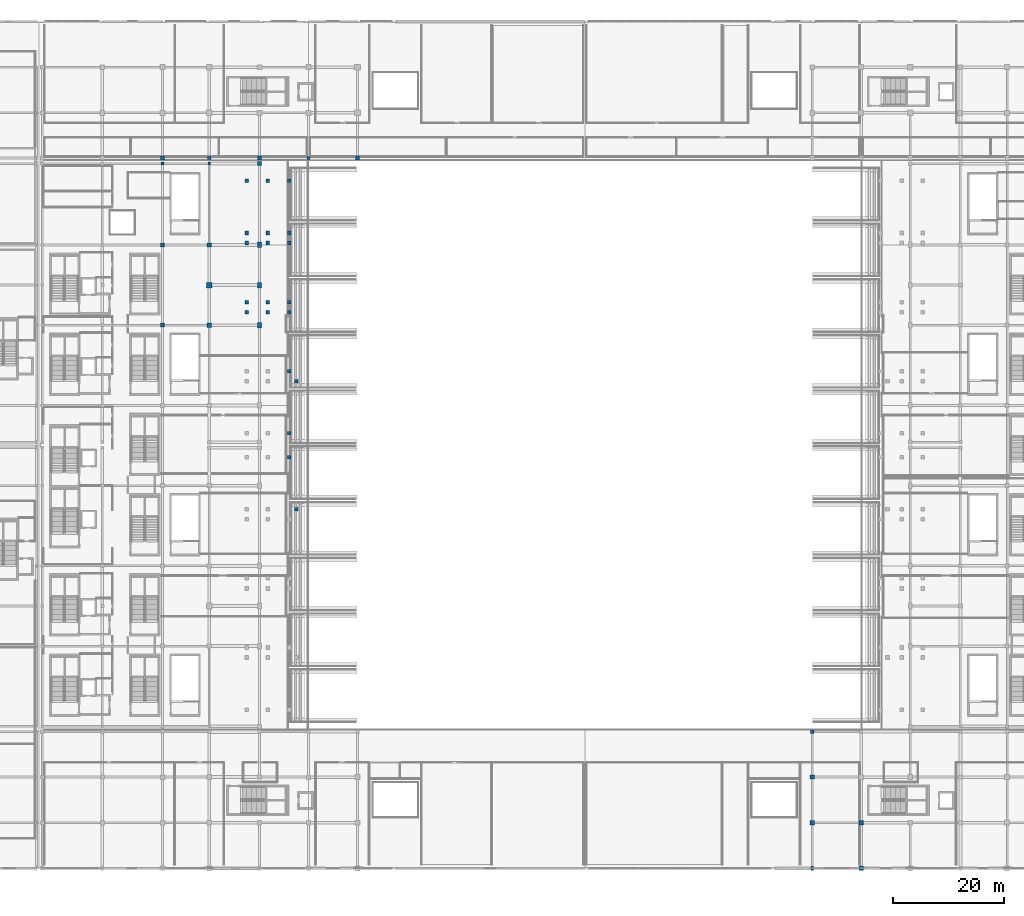
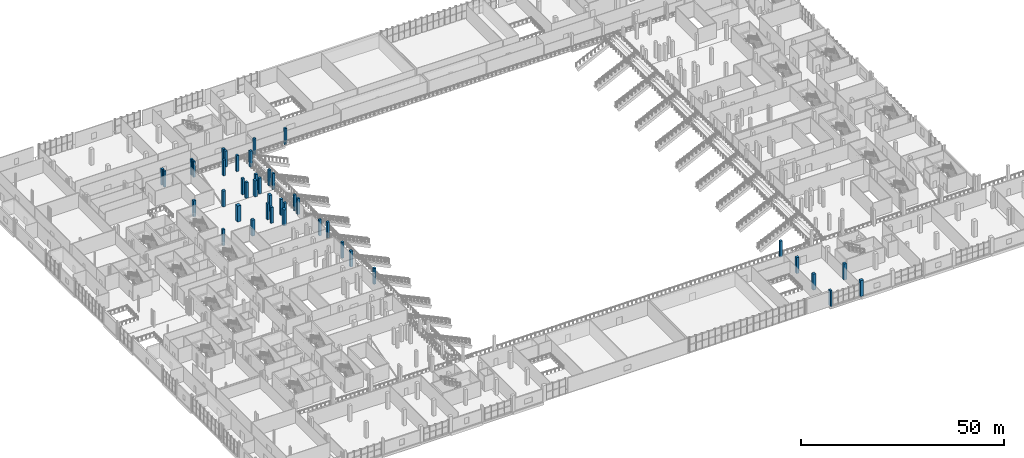
# One storey, part 8 of 129: 42 columns.
"""IFC4 building model written with IfcOpenShell, lengths in metres."""

from ifc_helpers import new_model, si_unit, direction, frame, origin, origin_2d, place, context, subcontext, project, spatial, rectangle, extrude, material, material_profile, profile_set, type_object, element, save


model = new_model("IFC4")

# Units and contexts
model_context = context("Model", 3, precision=1e-05, world=origin(), true_north=direction((0.0, 1.0)))
body_context = subcontext(model_context, "Body", "Model", "MODEL_VIEW")
ifc_project = project(units=[si_unit("LENGTHUNIT", "METRE"), si_unit("AREAUNIT", "SQUARE_METRE"), si_unit("VOLUMEUNIT", "CUBIC_METRE"), si_unit("PLANEANGLEUNIT", "RADIAN"), si_unit("MASSUNIT", "GRAM", prefix="KILO")], contexts=[model_context])

# Site, building, storey
site_placement = place(None, origin())
site = spatial("IfcSite", under=ifc_project, at=site_placement, CompositionType="ELEMENT")
building_placement = place(site_placement, origin())
building = spatial("IfcBuilding", under=site, at=building_placement, Name="Koshinbarg Plaza Stadium", CompositionType="ELEMENT")
storey_placement = place(building_placement, frame((0.0, 0.0, 5.39990234375)))
storey = spatial("IfcBuildingStorey", under=building, at=storey_placement, Name="L01", CompositionType="ELEMENT", Elevation=5.39990234375)

# Columns
ifc_material = material(Name="Concrete C40/50", Category="concrete")
ifc_material_profile_1 = material_profile(ifc_material, rectangle(XDim=0.449951171875, YDim=0.800048828125, at=origin_2d()), Name="PIL 450x800")
ifc_profile_set_1 = profile_set([ifc_material_profile_1], Name="Concrete C40/50")
column_type_1 = type_object("IfcColumnType", Name="COL-PIL-02", PredefinedType="PILASTER", material=ifc_profile_set_1)
column_1_placement = place(storey_placement, frame((162.800048828125, 0.0, 0.0), z_axis=(0.0, 0.0, 1.0), x_axis=(1.0, 0.0, 0.0)))
element("IfcColumn", 1, at=column_1_placement, inside=storey, type_object=column_type_1, Name="L01 column 15/A", PredefinedType="PILASTER", context=body_context, shape_type="SweptSolid", body=[
    extrude(rectangle(XDim=0.449951171875, YDim=0.800048828125, at=origin_2d()), origin(), (0.0, 0.0, 1.0), 4.800048828125),
])
ifc_material_profile_2 = material_profile(ifc_material, rectangle(XDim=0.5, YDim=0.5, at=origin_2d()), Name="RC 500x500")
ifc_profile_set_2 = profile_set([ifc_material_profile_2], Name="Concrete C40/50")
column_type_2 = type_object("IfcColumnType", Name="COL-RC-02", PredefinedType="COLUMN", material=ifc_profile_set_2)
column_2_placement = place(storey_placement, frame((54.60009765625, 126.5, 0.0), z_axis=(0.0, 0.0, 1.0), x_axis=(1.0, 0.0, 0.0)))
element("IfcColumn", 2, at=column_2_placement, inside=storey, type_object=column_type_2, Name="L01 column 8/R", PredefinedType="COLUMN", context=body_context, shape_type="SweptSolid", body=[
    extrude(rectangle(XDim=0.5, YDim=0.5, at=origin_2d()), origin(), (0.0, 0.0, 1.0), 4.800048828125),
])
ifc_material_profile_3 = material_profile(ifc_material, rectangle(XDim=0.550048828125, YDim=0.550048828125, at=origin_2d()), Name="RC 550x550")
ifc_profile_set_3 = profile_set([ifc_material_profile_3], Name="Concrete C40/50")
column_type_3 = type_object("IfcColumnType", Name="COL-RC-03", PredefinedType="COLUMN", material=ifc_profile_set_3)
column_3_placement = place(storey_placement, frame((46.199951171875, 126.5, 0.0), z_axis=(0.0, 0.0, 1.0), x_axis=(1.0, 0.0, 0.0)))
element("IfcColumn", 3, at=column_3_placement, inside=storey, type_object=column_type_3, Name="L01 column 7/R", PredefinedType="COLUMN", context=body_context, shape_type="SweptSolid", body=[
    extrude(rectangle(XDim=0.550048828125, YDim=0.550048828125, at=origin_2d()), origin(), (0.0, 0.0, 1.0), 4.800048828125),
])
ifc_material_profile_4 = material_profile(ifc_material, rectangle(XDim=0.60009765625, YDim=0.60009765625, at=origin_2d()), Name="RC 600x600")
ifc_profile_set_4 = profile_set([ifc_material_profile_4], Name="Concrete C40/50")
column_type_4 = type_object("IfcColumnType", Name="COL-RC-04", PredefinedType="COLUMN", material=ifc_profile_set_4)
for number, where, z_axis, x_axis, name in (
    (4, (72.39990234375, 127.5, 0.0), (0.0, 0.0, 1.0), (1.0, 0.0, 0.0), "L01 column 10/S"),
    (5, (162.800048828125, 24.5, 0.0), (0.0, 0.0, 1.0), (1.0, 0.0, 0.0), "L01 column 15/D"),
    (6, (54.60009765625, 127.5, 0.0), (0.0, 0.0, 1.0), (1.0, 0.0, 0.0), "L01 column 8/S"),
):
    element("IfcColumn", number, at=place(storey_placement, frame(where, z_axis=z_axis, x_axis=x_axis)), inside=storey, type_object=column_type_4, Name=name, PredefinedType="COLUMN", context=body_context, shape_type="SweptSolid", body=[
        extrude(rectangle(XDim=0.60009765625, YDim=0.60009765625, at=origin_2d()), origin(), (0.0, 0.0, 1.0), 4.800048828125),
    ])
ifc_material_profile_5 = material_profile(ifc_material, rectangle(XDim=0.64990234375, YDim=0.64990234375, at=origin_2d()), Name="RC 650x650")
ifc_profile_set_5 = profile_set([ifc_material_profile_5], Name="Concrete C40/50")
column_type_5 = type_object("IfcColumnType", Name="COL-RC-05", PredefinedType="COLUMN", material=ifc_profile_set_5)
for number, where, z_axis, x_axis, name in (
    (7, (81.199951171875, 127.5, 0.0), (0.0, 0.0, 1.0), (1.0, 0.0, 0.0), "L01 column 11/S"),
    (8, (46.199951171875, 127.5, 0.0), (0.0, 0.0, 1.0), (1.0, 0.0, 0.0), "L01 column 7/S"),
    (9, (63.60009765625, 127.5, 0.0), (0.0, 0.0, 1.0), (1.0, 0.0, 0.0), "L01 column 9/S"),
    (10, (70.169921875, 64.449951171875, 0.0), (0.0, 0.0, 1.0), (1.0, 0.0, 0.0), "L01 bowl raker column UT-W04-L-CF"),
    (11, (68.919921875, 73.800048828125, 0.0), (0.0, 0.0, 1.0), (1.0, 0.0, 0.0), "L01 bowl raker column UT-W04-R-CF"),
    (12, (68.919921875, 78.10009765625, 0.0), (0.0, 0.0, 1.0), (1.0, 0.0, 0.0), "L01 bowl raker column UT-W05-L-CF"),
    (13, (70.169921875, 87.449951171875, 0.0), (0.0, 0.0, 1.0), (1.0, 0.0, 0.0), "L01 bowl raker column UT-W05-R-CF"),
    (14, (68.919921875, 89.25, 0.0), (0.0, 0.0, 1.0), (1.0, 0.0, 0.0), "L01 bowl raker column UT-W06-L-CF"),
    (15, (68.919921875, 99.85009765625, 0.0), (0.0, 0.0, 1.0), (1.0, 0.0, 0.0), "L01 bowl raker column UT-W06-R-CF"),
    (16, (65.10009765625, 99.85009765625, 0.0), (0.0, 0.0, 1.0), (1.0, 0.0, 0.0), "L01 bowl raker column UT-W06-R-CM"),
    (17, (61.340087890625, 99.85009765625, 0.0), (0.0, 0.0, 1.0), (1.0, 0.0, 0.0), "L01 bowl raker column UT-W06-R-CB"),
    (18, (68.919921875, 101.64990234375, 0.0), (0.0, 0.0, 1.0), (1.0, 0.0, 0.0), "L01 bowl raker column UT-W07-L-CF"),
    (19, (65.10009765625, 101.64990234375, 0.0), (0.0, 0.0, 1.0), (1.0, 0.0, 0.0), "L01 bowl raker column UT-W07-L-CM"),
    (20, (61.340087890625, 101.64990234375, 0.0), (0.0, 0.0, 1.0), (1.0, 0.0, 0.0), "L01 bowl raker column UT-W07-L-CB"),
    (21, (68.919921875, 112.25, 0.0), (0.0, 0.0, 1.0), (1.0, 0.0, 0.0), "L01 bowl raker column UT-W07-R-CF"),
    (22, (65.10009765625, 112.25, 0.0), (0.0, 0.0, 1.0), (1.0, 0.0, 0.0), "L01 bowl raker column UT-W07-R-CM"),
    (23, (61.340087890625, 112.25, 0.0), (0.0, 0.0, 1.0), (1.0, 0.0, 0.0), "L01 bowl raker column UT-W07-R-CB"),
    (24, (68.919921875, 114.050048828125, 0.0), (0.0, 0.0, 1.0), (1.0, 0.0, 0.0), "L01 bowl raker column UT-W08-L-CF"),
    (25, (65.10009765625, 114.050048828125, 0.0), (0.0, 0.0, 1.0), (1.0, 0.0, 0.0), "L01 bowl raker column UT-W08-L-CM"),
    (26, (61.340087890625, 114.050048828125, 0.0), (0.0, 0.0, 1.0), (1.0, 0.0, 0.0), "L01 bowl raker column UT-W08-L-CB"),
    (27, (68.919921875, 123.39990234375, 0.0), (0.0, 0.0, 1.0), (1.0, 0.0, 0.0), "L01 bowl raker column UT-W08-R-CF"),
    (28, (65.10009765625, 123.39990234375, 0.0), (0.0, 0.0, 1.0), (1.0, 0.0, 0.0), "L01 bowl raker column UT-W08-R-CM"),
    (29, (61.340087890625, 123.39990234375, 0.0), (0.0, 0.0, 1.0), (1.0, 0.0, 0.0), "L01 bowl raker column UT-W08-R-CB"),
):
    element("IfcColumn", number, at=place(storey_placement, frame(where, z_axis=z_axis, x_axis=x_axis)), inside=storey, type_object=column_type_5, Name=name, PredefinedType="COLUMN", context=body_context, shape_type="SweptSolid", body=[
        extrude(rectangle(XDim=0.64990234375, YDim=0.64990234375, at=origin_2d()), origin(), (0.0, 0.0, 1.0), 4.800048828125),
    ])
ifc_material_profile_6 = material_profile(ifc_material, rectangle(XDim=0.699951171875, YDim=0.699951171875, at=origin_2d()), Name="RC 700x700")
ifc_profile_set_6 = profile_set([ifc_material_profile_6], Name="Concrete C40/50")
column_type_6 = type_object("IfcColumnType", Name="COL-RC-06", PredefinedType="COLUMN", material=ifc_profile_set_6)
for number, where, z_axis, x_axis, name in (
    (30, (46.199951171875, 97.5, 0.0), (0.0, 0.0, 1.0), (1.0, 0.0, 0.0), "L01 column 7/N"),
    (31, (46.199951171875, 111.89990234375, 0.0), (0.0, 0.0, 1.0), (1.0, 0.0, 0.0), "L01 column 7/Q"),
    (32, (63.60009765625, 126.5, 0.0), (0.0, 0.0, 1.0), (1.0, 0.0, 0.0), "L01 column 9/R"),
):
    element("IfcColumn", number, at=place(storey_placement, frame(where, z_axis=z_axis, x_axis=x_axis)), inside=storey, type_object=column_type_6, Name=name, PredefinedType="COLUMN", context=body_context, shape_type="SweptSolid", body=[
        extrude(rectangle(XDim=0.699951171875, YDim=0.699951171875, at=origin_2d()), origin(), (0.0, 0.0, 1.0), 4.800048828125),
    ])
ifc_material_profile_7 = material_profile(ifc_material, rectangle(XDim=0.75, YDim=0.75, at=origin_2d()), Name="RC 750x750")
ifc_profile_set_7 = profile_set([ifc_material_profile_7], Name="Concrete C40/50")
column_type_7 = type_object("IfcColumnType", Name="COL-RC-07", PredefinedType="COLUMN", material=ifc_profile_set_7)
for number, where, z_axis, x_axis, name in (
    (33, (162.800048828125, 8.199951171875, 0.0), (0.0, 0.0, 1.0), (1.0, 0.0, 0.0), "L01 column 15/B"),
    (34, (162.800048828125, 16.39990234375, 0.0), (0.0, 0.0, 1.0), (1.0, 0.0, 0.0), "L01 column 15/C"),
    (35, (54.60009765625, 97.5, 0.0), (0.0, 0.0, 1.0), (1.0, 0.0, 0.0), "L01 column 8/N"),
    (36, (54.60009765625, 111.89990234375, 0.0), (0.0, 0.0, 1.0), (1.0, 0.0, 0.0), "L01 column 8/Q"),
):
    element("IfcColumn", number, at=place(storey_placement, frame(where, z_axis=z_axis, x_axis=x_axis)), inside=storey, type_object=column_type_7, Name=name, PredefinedType="COLUMN", context=body_context, shape_type="SweptSolid", body=[
        extrude(rectangle(XDim=0.75, YDim=0.75, at=origin_2d()), origin(), (0.0, 0.0, 1.0), 4.800048828125),
    ])
ifc_material_profile_8 = material_profile(ifc_material, rectangle(XDim=0.800048828125, YDim=0.800048828125, at=origin_2d()), Name="RC 800x800")
ifc_profile_set_8 = profile_set([ifc_material_profile_8], Name="Concrete C40/50")
column_type_8 = type_object("IfcColumnType", Name="COL-RC-08", PredefinedType="COLUMN", material=ifc_profile_set_8)
for number, where, z_axis, x_axis, name in (
    (37, (171.60009765625, 0.0, 0.0), (0.0, 0.0, 1.0), (1.0, 0.0, 0.0), "L01 column 16/A"),
    (38, (171.60009765625, 8.199951171875, 0.0), (0.0, 0.0, 1.0), (1.0, 0.0, 0.0), "L01 column 16/B"),
):
    element("IfcColumn", number, at=place(storey_placement, frame(where, z_axis=z_axis, x_axis=x_axis)), inside=storey, type_object=column_type_8, Name=name, PredefinedType="COLUMN", context=body_context, shape_type="SweptSolid", body=[
        extrude(rectangle(XDim=0.800048828125, YDim=0.800048828125, at=origin_2d()), origin(), (0.0, 0.0, 1.0), 4.800048828125),
    ])
ifc_material_profile_9 = material_profile(ifc_material, rectangle(XDim=1.0, YDim=1.0, at=origin_2d()), Name="RC 1000x1000")
ifc_profile_set_9 = profile_set([ifc_material_profile_9], Name="Concrete C40/50")
column_type_9 = type_object("IfcColumnType", Name="COL-RC-11", PredefinedType="COLUMN", material=ifc_profile_set_9)
column_4_placement = place(storey_placement, frame((54.60009765625, 104.699951171875, 0.0), z_axis=(0.0, 0.0, 1.0), x_axis=(1.0, 0.0, 0.0)))
element("IfcColumn", 39, at=column_4_placement, inside=storey, type_object=column_type_9, Name="L01 column 8/P", PredefinedType="COLUMN", context=body_context, shape_type="SweptSolid", body=[
    extrude(rectangle(XDim=1.0, YDim=1.0, at=origin_2d()), origin(), (0.0, 0.0, 1.0), 4.800048828125),
])
ifc_material_profile_10 = material_profile(ifc_material, rectangle(XDim=0.699951171875, YDim=1.0, at=origin_2d()), Name="RC 700x1000")
ifc_profile_set_10 = profile_set([ifc_material_profile_10], Name="Concrete C40/50")
column_type_10 = type_object("IfcColumnType", Name="COL-RC-13", PredefinedType="COLUMN", material=ifc_profile_set_10)
for number, where, z_axis, x_axis, name in (
    (40, (63.60009765625, 97.5, 0.0), (0.0, 0.0, 1.0), (1.0, 0.0, 0.0), "L01 column 9/N"),
    (41, (63.60009765625, 104.699951171875, 0.0), (0.0, 0.0, 1.0), (1.0, 0.0, 0.0), "L01 column 9/P"),
    (42, (63.60009765625, 111.89990234375, 0.0), (0.0, 0.0, 1.0), (1.0, 0.0, 0.0), "L01 column 9/Q"),
):
    element("IfcColumn", number, at=place(storey_placement, frame(where, z_axis=z_axis, x_axis=x_axis)), inside=storey, type_object=column_type_10, Name=name, PredefinedType="COLUMN", context=body_context, shape_type="SweptSolid", body=[
        extrude(rectangle(XDim=0.699951171875, YDim=1.0, at=origin_2d()), origin(), (0.0, 0.0, 1.0), 4.800048828125),
    ])

save(model, "model.ifc")
